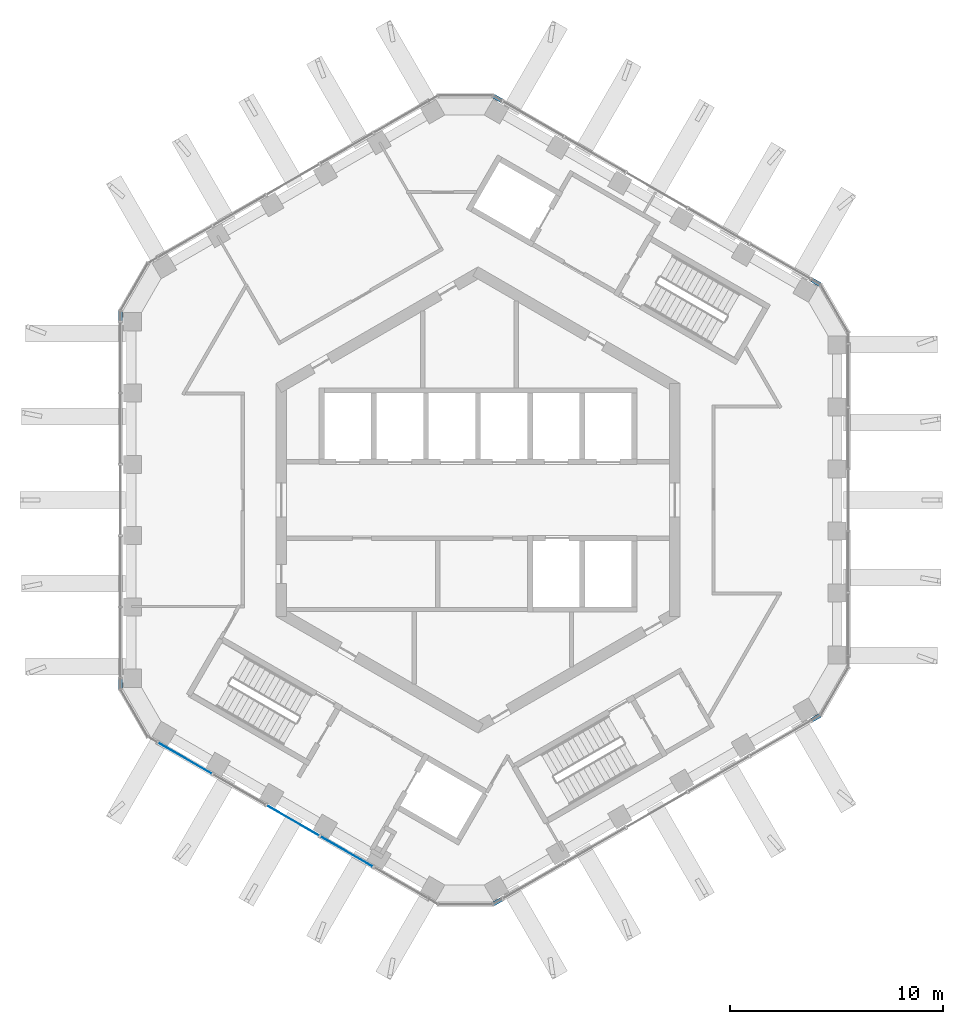
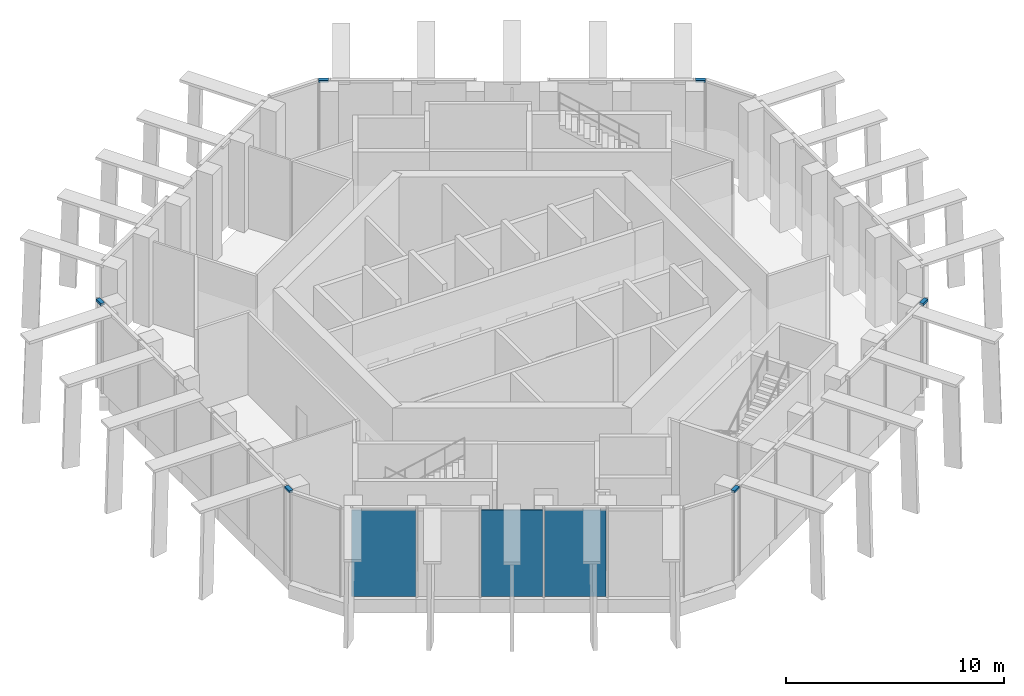
# One storey, part 6 of 17: 6 members, 3 plates, 7 elements without a shape of their own.
"""IFC4 building model written with IfcOpenShell, lengths in metres."""

from ifc_helpers import new_model, si_unit, direction, frame, origin, origin_2d, place, context, subcontext, project, spatial, rectangle, extrude, material, layer, layer_set, material_profile, profile_set, type_object, element, aggregate, save


model = new_model("IFC4")

# Units and contexts
model_context = context("Model", 3, precision=1e-05, world=origin(), true_north=direction((0.0, 1.0)))
body_context = subcontext(model_context, "Body", "Model", "MODEL_VIEW")
ifc_project = project(units=[si_unit("LENGTHUNIT", "METRE"), si_unit("AREAUNIT", "SQUARE_METRE"), si_unit("VOLUMEUNIT", "CUBIC_METRE"), si_unit("PLANEANGLEUNIT", "RADIAN"), si_unit("MASSUNIT", "GRAM", prefix="KILO")], contexts=[model_context])

# Site, building, storey
site_placement = place(None, origin())
site = spatial("IfcSite", under=ifc_project, at=site_placement, CompositionType="ELEMENT")
building_placement = place(site_placement, origin())
building = spatial("IfcBuilding", under=site, at=building_placement, Name="Ayvan Gate Tower", CompositionType="ELEMENT")
storey_placement = place(building_placement, frame((0.0, 0.0, 252.89990234375)))
storey = spatial("IfcBuildingStorey", under=building, at=storey_placement, Name="L68", CompositionType="ELEMENT", Elevation=252.89990234375)

# Curtain wall, member
ifc_material_1 = material(Name="Bronze anodised aluminium", Category="aluminium")
ifc_layer_1 = layer(ifc_material_1, 0.199951171875)
ifc_layer_set_1 = layer_set([ifc_layer_1], Name="Bronze anodised aluminium")
curtain_wall_type_1 = type_object("IfcCurtainWallType", Name="Stick curtain wall CW-6", PredefinedType="NOTDEFINED", material=ifc_layer_set_1)
curtain_wall_1_placement = place(storey_placement, origin())
curtain_wall_1 = element("IfcCurtainWall", 1, at=curtain_wall_1_placement, inside=storey, type_object=curtain_wall_type_1, Name="Stick curtain wall CW-6 L68", PredefinedType="NOTDEFINED")
ifc_material_profile = material_profile(ifc_material_1, rectangle(XDim=0.199951171875, YDim=0.1201171875, at=origin_2d()), Name="Stick curtain wall CW-6 transom 200 x 120")
ifc_profile_set = profile_set([ifc_material_profile], Name="Bronze anodised aluminium")
member_type = type_object("IfcMemberType", Name="Stick curtain wall CW-6 transom 200 x 120", PredefinedType="USERDEFINED", material=ifc_profile_set)
member_1_placement = place(storey_placement, frame((-16.819091796875, 8.879638671875, 4.940185546875), z_axis=(0.0, -1.0, 0.0), x_axis=(1.0, 0.0, 0.0)))
member_1 = element("IfcMember", 2, at=member_1_placement, type_object=member_type, Name="CW-6 transom 2", ObjectType="TRANSOM", PredefinedType="USERDEFINED", context=body_context, shape_type="SweptSolid", body=[
    extrude(rectangle(XDim=0.199951171875, YDim=0.1201171875, at=origin_2d()), origin(), (0.0, 0.0, 1.0), 0.449951171875),
])
aggregate(curtain_wall_1, [member_1])

curtain_wall_2_placement = place(storey_placement, origin())
curtain_wall_2 = element("IfcCurtainWall", 3, at=curtain_wall_2_placement, inside=storey, type_object=curtain_wall_type_1, Name="Stick curtain wall CW-6 L68", PredefinedType="NOTDEFINED")
member_2_placement = place(storey_placement, frame((-16.819091796875, -8.4296875, 4.940185546875), z_axis=(0.0, -1.0, 0.0), x_axis=(1.0, 0.0, 0.0)))
member_2 = element("IfcMember", 4, at=member_2_placement, type_object=member_type, Name="CW-6 transom 1", ObjectType="TRANSOM", PredefinedType="USERDEFINED", context=body_context, shape_type="SweptSolid", body=[
    extrude(rectangle(XDim=0.199951171875, YDim=0.1201171875, at=origin_2d()), origin(), (0.0, 0.0, 1.0), 0.449951171875),
])
aggregate(curtain_wall_2, [member_2])

curtain_wall_3_placement = place(storey_placement, origin())
curtain_wall_3 = element("IfcCurtainWall", 5, at=curtain_wall_3_placement, inside=storey, type_object=curtain_wall_type_1, Name="Stick curtain wall CW-6 L68", PredefinedType="NOTDEFINED")
member_3_placement = place(storey_placement, frame((0.719482421875, -19.005615234375, 4.940185546875), z_axis=(0.865896406789, 0.500223362819, 0.0), x_axis=(-0.500223362819, 0.865896406789, 0.0)))
member_3 = element("IfcMember", 6, at=member_3_placement, type_object=member_type, Name="CW-6 transom 2", ObjectType="TRANSOM", PredefinedType="USERDEFINED", context=body_context, shape_type="SweptSolid", body=[
    extrude(rectangle(XDim=0.199951171875, YDim=0.1201171875, at=origin_2d()), origin(), (0.0, 0.0, 1.0), 0.449951171875),
])
aggregate(curtain_wall_3, [member_3])

curtain_wall_4_placement = place(storey_placement, origin())
curtain_wall_4 = element("IfcCurtainWall", 7, at=curtain_wall_4_placement, inside=storey, type_object=curtain_wall_type_1, Name="Stick curtain wall CW-6 L68", PredefinedType="NOTDEFINED")
member_4_placement = place(storey_placement, frame((15.7099609375, -10.350830078125, 4.940185546875), z_axis=(0.865896406789, 0.500223362819, 0.0), x_axis=(-0.500223362819, 0.865896406789, 0.0)))
member_4 = element("IfcMember", 8, at=member_4_placement, type_object=member_type, Name="CW-6 transom 1", ObjectType="TRANSOM", PredefinedType="USERDEFINED", context=body_context, shape_type="SweptSolid", body=[
    extrude(rectangle(XDim=0.199951171875, YDim=0.1201171875, at=origin_2d()), origin(), (0.0, 0.0, 1.0), 0.449951171875),
])
aggregate(curtain_wall_4, [member_4])

curtain_wall_5_placement = place(storey_placement, origin())
curtain_wall_5 = element("IfcCurtainWall", 9, at=curtain_wall_5_placement, inside=storey, type_object=curtain_wall_type_1, Name="Stick curtain wall CW-6 L68", PredefinedType="NOTDEFINED")
member_5_placement = place(storey_placement, frame((16.099609375, 10.125732421875, 4.940185546875), z_axis=(-0.865896406789, 0.500223362819, 0.0), x_axis=(-0.500223362819, -0.865896406789, 0.0)))
member_5 = element("IfcMember", 10, at=member_5_placement, type_object=member_type, Name="CW-6 transom 2", ObjectType="TRANSOM", PredefinedType="USERDEFINED", context=body_context, shape_type="SweptSolid", body=[
    extrude(rectangle(XDim=0.199951171875, YDim=0.1201171875, at=origin_2d()), origin(), (0.0, 0.0, 1.0), 0.449951171875),
])
aggregate(curtain_wall_5, [member_5])

curtain_wall_6_placement = place(storey_placement, origin())
curtain_wall_6 = element("IfcCurtainWall", 11, at=curtain_wall_6_placement, inside=storey, type_object=curtain_wall_type_1, Name="Stick curtain wall CW-6 L68", PredefinedType="NOTDEFINED")
member_6_placement = place(storey_placement, frame((1.109130859375, 18.780517578125, 4.940185546875), z_axis=(-0.865896406789, 0.500223362819, 0.0), x_axis=(-0.500223362819, -0.865896406789, 0.0)))
member_6 = element("IfcMember", 12, at=member_6_placement, type_object=member_type, Name="CW-6 transom 1", ObjectType="TRANSOM", PredefinedType="USERDEFINED", context=body_context, shape_type="SweptSolid", body=[
    extrude(rectangle(XDim=0.199951171875, YDim=0.1201171875, at=origin_2d()), origin(), (0.0, 0.0, 1.0), 0.449951171875),
])
aggregate(curtain_wall_6, [member_6])

# Curtain wall, plates
ifc_layer_2 = layer(ifc_material_1, 0.199951171875)
ifc_layer_set_2 = layer_set([ifc_layer_2], Name="Bronze anodised aluminium")
curtain_wall_type_2 = type_object("IfcCurtainWallType", Name="Stick curtain wall CW-5", PredefinedType="NOTDEFINED", material=ifc_layer_set_2)
curtain_wall_7_placement = place(storey_placement, origin())
curtain_wall_7 = element("IfcCurtainWall", 13, at=curtain_wall_7_placement, inside=storey, type_object=curtain_wall_type_2, Name="Stick curtain wall CW-5 L68", PredefinedType="NOTDEFINED")
ifc_material_2 = material(Name="Clear low-iron laminated glass", Category="glass")
ifc_layer_3 = layer(ifc_material_2, 0.028076171875)
ifc_layer_set_3 = layer_set([ifc_layer_3], Name="Clear low-iron laminated glass")
plate_type = type_object("IfcPlateType", Name="Stick curtain wall CW-5 glass panel", PredefinedType="CURTAIN_PANEL", material=ifc_layer_set_3)
plate_1_placement = place(storey_placement, frame((-13.803466796875, -12.13671875, 0.0), z_axis=(0.0, 0.0, 1.0), x_axis=(0.866025403784, -0.5, 0.0)))
plate_1 = element("IfcPlate", 14, at=plate_1_placement, type_object=plate_type, Name="CW-5 glass panel 1", PredefinedType="CURTAIN_PANEL", context=body_context, shape_type="SweptSolid", body=[
    extrude(rectangle(XDim=2.94189453125, YDim=0.028076171875, at=origin_2d()), origin(), (0.0, 0.0, 1.0), 4.85009765625),
])
plate_2_placement = place(storey_placement, frame((-8.70654296875, -15.07958984375, 0.0), z_axis=(0.0, 0.0, 1.0), x_axis=(0.866025403784, -0.5, 0.0)))
plate_2 = element("IfcPlate", 15, at=plate_2_placement, type_object=plate_type, Name="CW-5 glass panel 3", PredefinedType="CURTAIN_PANEL", context=body_context, shape_type="SweptSolid", body=[
    extrude(rectangle(XDim=2.822998046875, YDim=0.028076171875, at=origin_2d()), origin(), (0.0, 0.0, 1.0), 4.85009765625),
])
plate_3_placement = place(storey_placement, frame((-6.183837890625, -16.5361328125, 0.0), z_axis=(0.0, 0.0, 1.0), x_axis=(0.866025403784, -0.5, 0.0)))
plate_3 = element("IfcPlate", 16, at=plate_3_placement, type_object=plate_type, Name="CW-5 glass panel 4", PredefinedType="CURTAIN_PANEL", context=body_context, shape_type="SweptSolid", body=[
    extrude(rectangle(XDim=2.822998046875, YDim=0.028076171875, at=origin_2d()), origin(), (0.0, 0.0, 1.0), 4.85009765625),
])
aggregate(curtain_wall_7, [plate_1, plate_2, plate_3])

save(model, "model.ifc")
